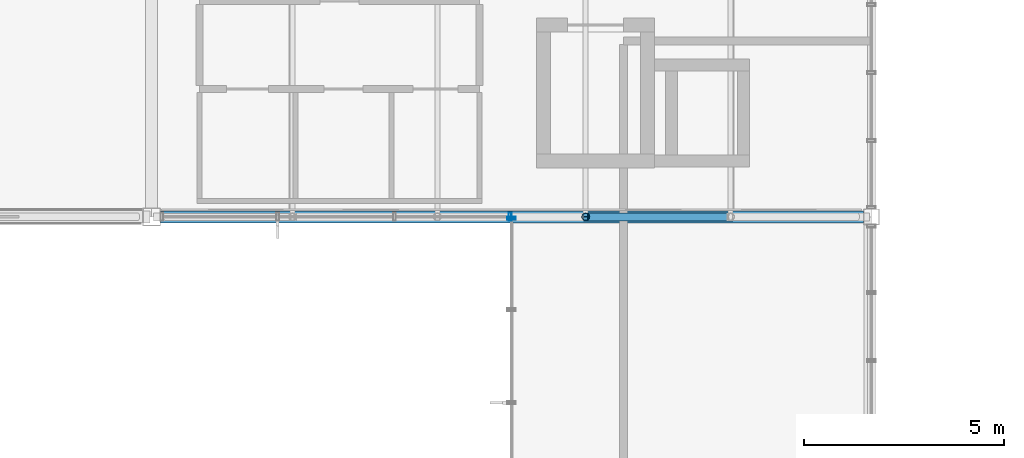
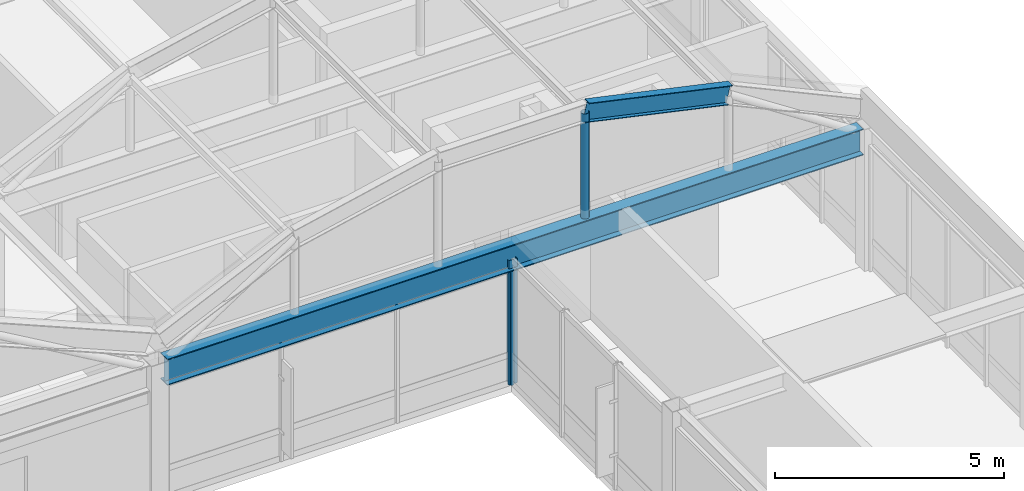
# One storey, part 42 of 106: 4 members, 1 beam, 2 elements without a shape of their own.
"""IFC4 building model written with IfcOpenShell, lengths in metres."""

from ifc_helpers import new_model, si_unit, direction, frame, origin, origin_2d, place, context, subcontext, project, spatial, hollow_rectangle, hollow_circle, i_section, extrude, material, material_profile, profile_set, type_object, element, aggregate, save


model = new_model("IFC4")

# Units and contexts
model_context = context("Model", 3, precision=1e-05, world=origin(), true_north=direction((0.0, 1.0)))
body_context = subcontext(model_context, "Body", "Model", "MODEL_VIEW")
ifc_project = project(units=[si_unit("LENGTHUNIT", "METRE"), si_unit("AREAUNIT", "SQUARE_METRE"), si_unit("VOLUMEUNIT", "CUBIC_METRE"), si_unit("PLANEANGLEUNIT", "RADIAN"), si_unit("MASSUNIT", "GRAM", prefix="KILO")], contexts=[model_context])

# Site, building, storey
site_placement = place(None, origin())
site = spatial("IfcSite", under=ifc_project, at=site_placement, CompositionType="ELEMENT")
building_placement = place(site_placement, origin())
building = spatial("IfcBuilding", under=site, at=building_placement, Name="Kazanami Central Library", CompositionType="ELEMENT")
storey_placement = place(building_placement, frame((0.0, 0.0, 12.800048828125)))
storey = spatial("IfcBuildingStorey", under=building, at=storey_placement, Name="L04", CompositionType="ELEMENT", Elevation=12.800048828125)

# Beam
ifc_material_1 = material(Name="Steel SN490B (325 MPa)", Category="steel")
ifc_material_profile_1 = material_profile(ifc_material_1, i_section(OverallWidth=0.300048828125, OverallDepth=0.699951171875, WebThickness=0.012939453125, FlangeThickness=0.02392578125, at=origin_2d()), Name="H-700x300x13x24")
ifc_profile_set_1 = profile_set([ifc_material_profile_1], Name="Steel SN490B (325 MPa)")
beam_type = type_object("IfcBeamType", Name="BM-G-AT", PredefinedType="BEAM", material=ifc_profile_set_1)
beam_placement = place(storey_placement, frame((90.222900390625, 64.800048828125, 3.429931640625), z_axis=(1.0, 0.0, 0.0), x_axis=(0.0, 1.0, 0.0)))
element("IfcBeam", 1, at=beam_placement, inside=storey, type_object=beam_type, Name="Barrel Vault Springing Tie Girder G-AT L04 E Grid K", PredefinedType="BEAM", context=body_context, shape_type="SweptSolid", body=[
    extrude(i_section(OverallWidth=0.300048828125, OverallDepth=0.699951171875, WebThickness=0.012939453125, FlangeThickness=0.02392578125, at=origin_2d()), origin(), (0.0, 0.0, 1.0), 17.5791015625),
])

# Member
ifc_material_profile_2 = material_profile(ifc_material_1, i_section(OverallWidth=0.199951171875, OverallDepth=0.5, WebThickness=0.010009765625, FlangeThickness=0.01611328125, at=origin_2d()), Name="H-500x200x10x16")
ifc_profile_set_2 = profile_set([ifc_material_profile_2], Name="Steel SN490B (325 MPa)")
member_type_1 = type_object("IfcMemberType", Name="MEM-AR-02", PredefinedType="CHORD", material=ifc_profile_set_2)
member_1_placement = place(storey_placement, frame((100.85546875, 64.800048828125, 6.604736328125), z_axis=(0.976745687277, 0.0, -0.214401171606), x_axis=(0.0, 1.0, 0.0)))
element("IfcMember", 2, at=member_1_placement, inside=storey, type_object=member_type_1, Name="Barrel Vault Arch Rib AR-02 VAULT-EAST Grid K Seg 4", PredefinedType="CHORD", context=body_context, shape_type="SweptSolid", body=[
    extrude(i_section(OverallWidth=0.199951171875, OverallDepth=0.5, WebThickness=0.010009765625, FlangeThickness=0.01611328125, at=origin_2d()), origin(), (0.0, 0.0, 1.0), 3.7109375),
])

# Curtain wall, member
ifc_material_2 = material(Name="Acid-Etched Low-E Laminated Glass", Category="glass")
curtain_wall_type_1 = type_object("IfcCurtainWallType", Name="CW-8775x3080-M275", PredefinedType="USERDEFINED", material=ifc_material_2)
curtain_wall_1_placement = place(storey_placement, origin())
curtain_wall_1 = element("IfcCurtainWall", 3, at=curtain_wall_1_placement, inside=storey, type_object=curtain_wall_type_1, Name="Unitised Curtain Wall CW-40 L04 S-K-10", ObjectType="UNITISED CURTAIN WALL", PredefinedType="USERDEFINED")
ifc_material_3 = material(Name="Anodised Aluminium A6063-T5", Category="aluminium")
ifc_material_profile_3 = material_profile(ifc_material_3, hollow_rectangle(XDim=0.070068359375, YDim=0.2099609375, WallThickness=0.0048828125, at=origin_2d()), Name="ALU-MULL-70x210x5")
ifc_profile_set_3 = profile_set([ifc_material_profile_3], Name="Anodised Aluminium A6063-T5")
member_type_2 = type_object("IfcMemberType", Name="MEM-CW-M1", PredefinedType="MULLION", material=ifc_profile_set_3)
member_2_placement = place(storey_placement, frame((98.965087890625, 64.800048828125, 0.0), z_axis=(0.0, 0.0, 1.0), x_axis=(1.0, 0.0, 0.0)))
member_2 = element("IfcMember", 4, at=member_2_placement, type_object=member_type_2, Name="CW-40 mullion 4", PredefinedType="MULLION", context=body_context, shape_type="SweptSolid", body=[
    extrude(hollow_rectangle(XDim=0.070068359375, YDim=0.2099609375, WallThickness=0.0048828125, at=origin_2d()), origin(), (0.0, 0.0, 1.0), 3.079833984375),
])
aggregate(curtain_wall_1, [member_2])

curtain_wall_type_2 = type_object("IfcCurtainWallType", Name="CW-6975x3330-M275", PredefinedType="USERDEFINED", material=ifc_material_2)
curtain_wall_2_placement = place(storey_placement, origin())
curtain_wall_2 = element("IfcCurtainWall", 5, at=curtain_wall_2_placement, inside=storey, type_object=curtain_wall_type_2, Name="Unitised Curtain Wall CW-46 L04 W-12-08", ObjectType="UNITISED CURTAIN WALL", PredefinedType="USERDEFINED")
member_3_placement = place(storey_placement, frame((99.0, 64.764892578125, 0.0), z_axis=(0.0, 0.0, 1.0), x_axis=(0.0, 1.0, 0.0)))
member_3 = element("IfcMember", 6, at=member_3_placement, type_object=member_type_2, Name="CW-46 mullion 4", PredefinedType="MULLION", context=body_context, shape_type="SweptSolid", body=[
    extrude(hollow_rectangle(XDim=0.070068359375, YDim=0.2099609375, WallThickness=0.0048828125, at=origin_2d()), origin(), (0.0, 0.0, 1.0), 3.329833984375),
])
aggregate(curtain_wall_2, [member_3])

# Member
ifc_material_4 = material(Name="Steel STK490 (315 MPa)", Category="steel")
ifc_material_profile_4 = material_profile(ifc_material_4, hollow_circle(Radius=0.095458984375, WallThickness=0.007080078125, at=origin_2d()), Name="CHS-190.7x7.0")
ifc_profile_set_4 = profile_set([ifc_material_profile_4], Name="Steel STK490 (315 MPa)")
member_type_3 = type_object("IfcMemberType", Name="MEM-VST-190", PredefinedType="STRUT", material=ifc_profile_set_4)
member_4_placement = place(storey_placement, frame((100.85546875, 64.800048828125, 3.71484375), z_axis=(0.0, 0.0, 1.0), x_axis=(1.0, 0.0, 0.0)))
element("IfcMember", 7, at=member_4_placement, inside=storey, type_object=member_type_3, Name="Barrel Vault Tied-Arch Web Strut VAULT-EAST Grid K Knuckle 3", PredefinedType="STRUT", context=body_context, shape_type="SweptSolid", body=[
    extrude(hollow_circle(Radius=0.095458984375, WallThickness=0.007080078125, at=origin_2d()), origin(), (0.0, 0.0, 1.0), 2.869873046875),
])

save(model, "model.ifc")
